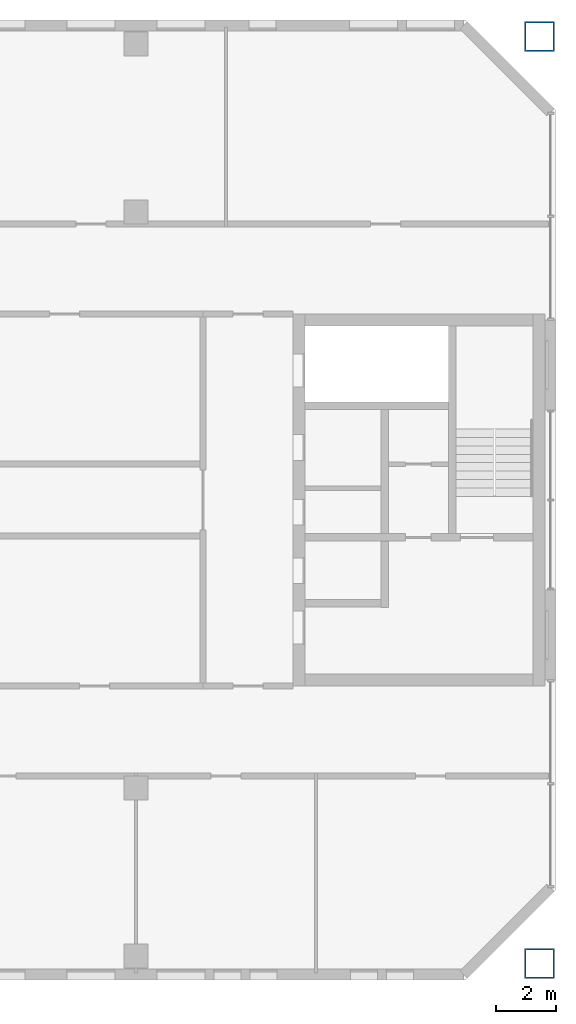
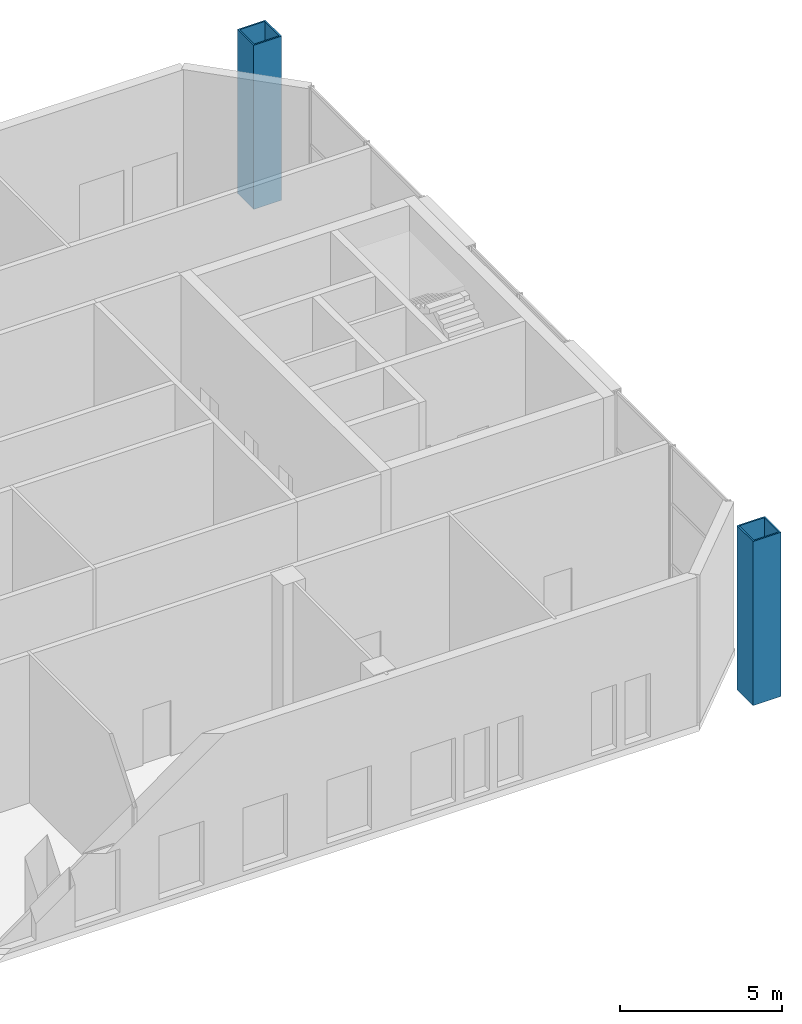
# One storey, part 3 of 20: 2 columns.
"""IFC4 building model written with IfcOpenShell, lengths in metres."""

from ifc_helpers import new_model, si_unit, direction, frame, origin, origin_2d, place, context, subcontext, project, spatial, hollow_rectangle, extrude, material, material_profile, profile_set, type_object, element, save


model = new_model("IFC4")

# Units and contexts
model_context = context("Model", 3, precision=1e-05, world=origin(), true_north=direction((0.0, 1.0)))
body_context = subcontext(model_context, "Body", "Model", "MODEL_VIEW")
ifc_project = project(units=[si_unit("LENGTHUNIT", "METRE"), si_unit("AREAUNIT", "SQUARE_METRE"), si_unit("VOLUMEUNIT", "CUBIC_METRE"), si_unit("PLANEANGLEUNIT", "RADIAN"), si_unit("MASSUNIT", "GRAM", prefix="KILO")], contexts=[model_context])

# Site, building, storey
site_placement = place(None, origin())
site = spatial("IfcSite", under=ifc_project, at=site_placement, CompositionType="ELEMENT")
building_placement = place(site_placement, origin())
building = spatial("IfcBuilding", under=site, at=building_placement, Name="Tuart Gate Housing", CompositionType="ELEMENT")
storey_placement = place(building_placement, frame((0.0, 0.0, 215.199951171875)))
storey = spatial("IfcBuildingStorey", under=building, at=storey_placement, Name="L61", CompositionType="ELEMENT", Elevation=215.199951171875)

# Columns
ifc_material = material(Name="Steel Grade 350", Category="steel")
ifc_material_profile = material_profile(ifc_material, hollow_rectangle(XDim=1.0, YDim=1.0, WallThickness=0.054931640625, at=origin_2d()), Name="BOX 1000x1000x55")
ifc_profile_set = profile_set([ifc_material_profile], Name="Steel Grade 350")
column_type = type_object("IfcColumnType", Name="Mega column BOX 1000x1000x55 (6.2-7.0 m)", PredefinedType="COLUMN", material=ifc_profile_set)
for number, where, z_axis, x_axis, name in (
    (1, (168.449951171875, 54.550048828125, 0.0), (0.0, 0.0, 1.0), (1.0, 0.0, 0.0), "Mega column B south-east L61"),
    (2, (168.449951171875, 85.449951171875, 0.0), (0.0, 0.0, 1.0), (1.0, 0.0, 0.0), "Mega column B north-east L61"),
):
    element("IfcColumn", number, at=place(storey_placement, frame(where, z_axis=z_axis, x_axis=x_axis)), inside=storey, type_object=column_type, Name=name, PredefinedType="COLUMN", context=body_context, shape_type="SweptSolid", body=[
        extrude(hollow_rectangle(XDim=1.0, YDim=1.0, WallThickness=0.054931640625, at=origin_2d()), origin(), (0.0, 0.0, 1.0), 6.199951171875),
    ])

save(model, "model.ifc")
